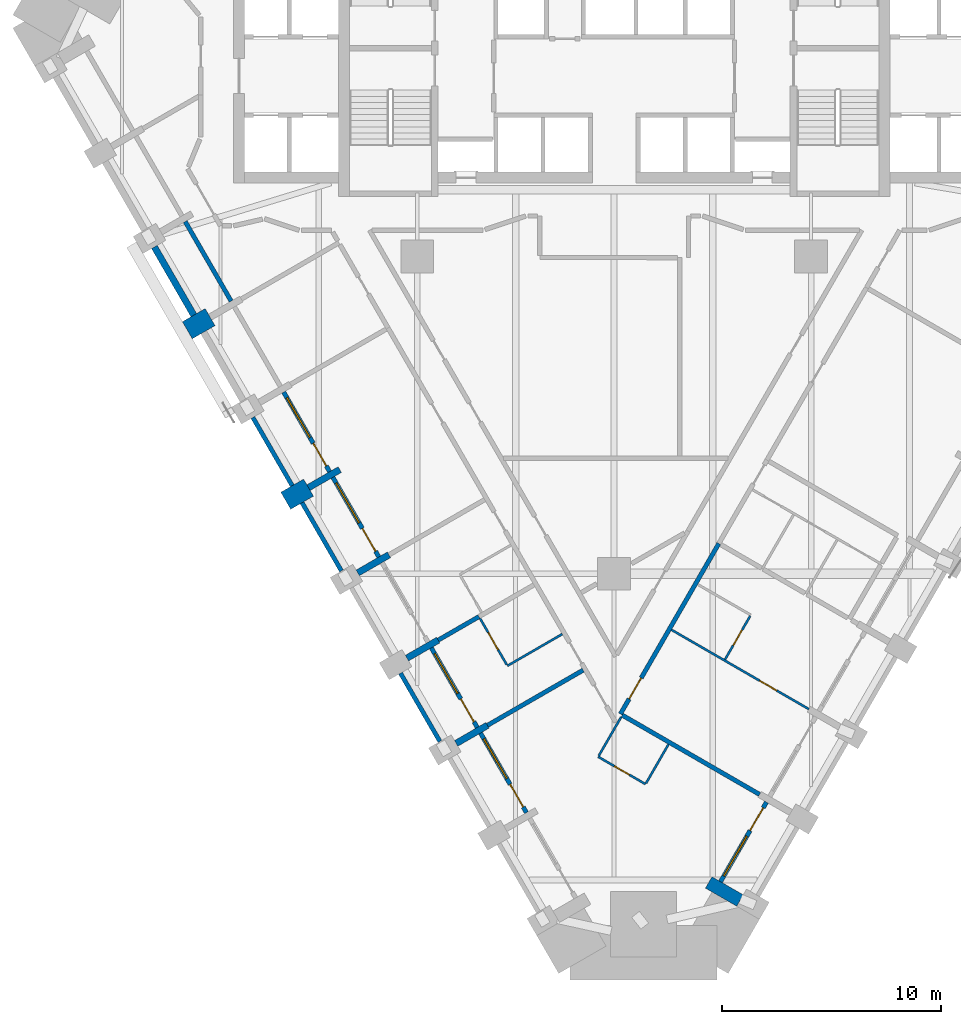
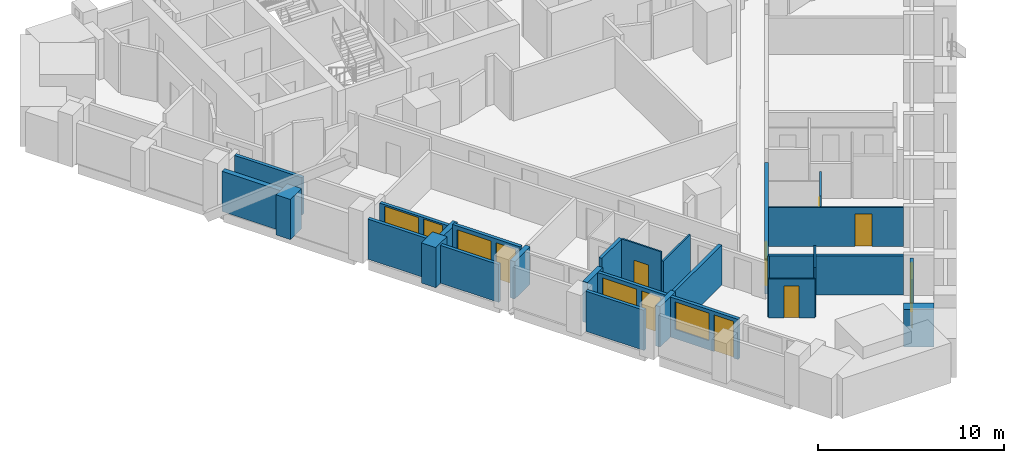
# One storey, part 3 of 11: 28 walls, 10 doors, 5 windows, 15 openings.
"""IFC4 building model written with IfcOpenShell, lengths in metres."""

from ifc_helpers import new_model, si_unit, direction, frame, frame_2d, origin, place, context, subcontext, project, spatial, rectangle, extrude, material, layer, layer_set, type_object, element, fill, save


model = new_model("IFC4")

# Units and contexts
model_context = context("Model", 3, precision=1e-05, world=origin(), true_north=direction((0.0, 1.0)))
body_context = subcontext(model_context, "Body", "Model", "MODEL_VIEW")
ifc_project = project(units=[si_unit("LENGTHUNIT", "METRE"), si_unit("AREAUNIT", "SQUARE_METRE"), si_unit("VOLUMEUNIT", "CUBIC_METRE"), si_unit("PLANEANGLEUNIT", "RADIAN"), si_unit("MASSUNIT", "GRAM", prefix="KILO")], contexts=[model_context])

# Site, building, storey
site_placement = place(None, origin())
site = spatial("IfcSite", under=ifc_project, at=site_placement, CompositionType="ELEMENT")
building_placement = place(site_placement, origin())
building = spatial("IfcBuilding", under=site, at=building_placement, Name="Calabash Gate Tower", CompositionType="ELEMENT")
storey_placement = place(building_placement, frame((0.0, 0.0, 98.60009765625)))
storey = spatial("IfcBuildingStorey", under=building, at=storey_placement, Name="L21", CompositionType="ELEMENT", Elevation=98.60009765625)

# Walls
ifc_material_1 = material(Name="Terracotta brick masonry, exposed face", Category="masonry")
ifc_layer_1 = layer(ifc_material_1, 1.199951171875)
ifc_layer_set_1 = layer_set([ifc_layer_1], Name="Brick end wall 1200")
wall_type_1 = type_object("IfcWallType", Name="Brick end wall 1200", PredefinedType="SOLIDWALL", material=ifc_layer_set_1)
for number, where, z_axis, x_axis, name in (
    (1, (-19.51025390625, -0.8720703125, 0.0), (0.0, 0.0, 1.0), (0.865955154139, 0.50012165622, 0.0), "Brick pier S05 SW0.3"),
    (2, (-13.97119140625, -8.066162109375, 0.0), (0.0, 0.0, 1.0), (-0.865955154139, -0.50012165622, 0.0), "Brick pier S05 SW0.5"),
):
    element("IfcWall", number, at=place(storey_placement, frame(where, z_axis=z_axis, x_axis=x_axis)), inside=storey, type_object=wall_type_1, Name=name, PredefinedType="SOLIDWALL", context=body_context, shape_type="SweptSolid", body=[
        extrude(rectangle(XDim=1.199951171875, YDim=0.89990234375, at=frame_2d((0.60009765625, 0.0))), origin(), (0.0, 0.0, 1.0), 2.6298828125),
    ])
ifc_material_2 = material(Name="Terracotta brick masonry, exposed face", Category="masonry")
ifc_layer_2 = layer(ifc_material_2, 0.300048828125)
ifc_layer_set_2 = layer_set([ifc_layer_2], Name="Brick infill panel wall 300")
wall_type_2 = type_object("IfcWallType", Name="Brick infill panel wall 300", PredefinedType="SOLIDWALL", material=ifc_layer_set_2)
wall_1_placement = place(storey_placement, frame((-21.015625, 2.935302734375, 0.0), z_axis=(0.0, 0.0, 1.0), x_axis=(0.499961193289, -0.866047807691, 0.0)))
element("IfcWall", 3, at=wall_1_placement, inside=storey, type_object=wall_type_2, Name="Brick panel S05 SW0.3", PredefinedType="SOLIDWALL", context=body_context, shape_type="SweptSolid", body=[
    extrude(rectangle(XDim=3.599853515625, YDim=0.300048828125, at=frame_2d((1.7998046875, 0.0))), origin(), (0.0, 0.0, 1.0), 2.6298828125),
])
ifc_material_3 = material(Name="Terracotta brick masonry, exposed face", Category="masonry")
ifc_layer_3 = layer(ifc_material_3, 0.300048828125)
ifc_layer_set_3 = layer_set([ifc_layer_3], Name="Brick loggia cheek wall 300")
wall_type_3 = type_object("IfcWallType", Name="Brick loggia cheek wall 300", PredefinedType="SOLIDWALL", material=ifc_layer_set_3)
wall_2_placement = place(storey_placement, frame((-13.97119140625, -8.066162109375, 0.0), z_axis=(0.0, 0.0, 1.0), x_axis=(0.866040211805, 0.499974350878, 0.0)))
element("IfcWall", 4, at=wall_2_placement, inside=storey, type_object=wall_type_3, Name="Loggia cheek S05 SW0.5", PredefinedType="SOLIDWALL", context=body_context, shape_type="SweptSolid", body=[
    extrude(rectangle(XDim=1.64990234375, YDim=0.300048828125, at=frame_2d((0.824951171875, 0.0))), origin(), (0.0, 0.0, 1.0), 2.473388671875),
])
wall_3_placement = place(storey_placement, frame((-11.72119140625, -11.96337890625, 0.0), z_axis=(0.0, 0.0, 1.0), x_axis=(0.866040211805, 0.499974350878, 0.0)))
element("IfcWall", 5, at=wall_3_placement, inside=storey, type_object=wall_type_3, Name="Loggia cheek S05 SW0.6", PredefinedType="SOLIDWALL", context=body_context, shape_type="SweptSolid", body=[
    extrude(rectangle(XDim=1.64990234375, YDim=0.300048828125, at=frame_2d((0.824951171875, 0.0))), origin(), (0.0, 0.0, 1.0), 2.449951171875),
])
for number, where, z_axis, x_axis, name in (
    (6, (-8.042236328125, -15.035400390625, 0.0), (0.0, 0.0, 1.0), (-0.866040211805, -0.499974350878, 0.0), "Loggia cheek S05 SW0.7"),
    (7, (-7.22119140625, -19.757568359375, 0.0), (0.0, 0.0, 1.0), (0.866040211805, 0.499974350878, 0.0), "Loggia cheek S05 SW0.8"),
):
    element("IfcWall", number, at=place(storey_placement, frame(where, z_axis=z_axis, x_axis=x_axis)), inside=storey, type_object=wall_type_3, Name=name, PredefinedType="SOLIDWALL", context=body_context, shape_type="SweptSolid", body=[
        extrude(rectangle(XDim=1.64990234375, YDim=0.300048828125, at=frame_2d((0.824951171875, 0.0))), origin(), (0.0, 0.0, 1.0), 2.64990234375),
    ])
wall_4_placement = place(storey_placement, frame((5.75244140625, -26.940673828125, 0.0), z_axis=(0.0, 0.0, 1.0), x_axis=(-0.866030301974, 0.499991515992, 0.0)))
element("IfcWall", 8, at=wall_4_placement, inside=storey, type_object=wall_type_3, Name="Loggia cheek S05 SE2.0", PredefinedType="SOLIDWALL", context=body_context, shape_type="SweptSolid", body=[
    extrude(rectangle(XDim=1.6494140625, YDim=0.60009765625, at=frame_2d((0.82470703125, 0.0))), origin(), (0.0, 0.0, 1.0), 2.449951171875),
])
ifc_material_4 = material(Name="Gypsum board on steel studs, mineral wool", Category="steel")
ifc_layer_4 = layer(ifc_material_4, 0.10009765625)
ifc_layer_set_4 = layer_set([ifc_layer_4], Name="Partition 100 gypsum board")
wall_type_4 = type_object("IfcWallType", Name="Partition 100 gypsum board", PredefinedType="PARTITIONING", material=ifc_layer_set_4)
wall_5_placement = place(storey_placement, frame((1.46044921875, -21.576416015625, 0.0), z_axis=(0.0, 0.0, 1.0), x_axis=(0.499354689006, 0.866397653833, 0.0)))
element("IfcWall", 9, at=wall_5_placement, inside=storey, type_object=wall_type_4, Name="Partition", PredefinedType="PARTITIONING", context=body_context, shape_type="SweptSolid", body=[
    extrude(rectangle(XDim=2.050048828125, YDim=0.10009765625, at=frame_2d((1.02490234375, 0.0))), origin(), (0.0, 0.0, 1.0), 3.22998046875),
])

# Wall, opening, door
wall_6_placement = place(storey_placement, frame((-0.7294921875, -20.369873046875, 0.0), z_axis=(0.0, 0.0, 1.0), x_axis=(0.866022959057, -0.500004234368, 0.0)))
wall_6 = element("IfcWall", 10, at=wall_6_placement, inside=storey, type_object=wall_type_4, Name="Partition", PredefinedType="PARTITIONING", context=body_context, shape_type="SweptSolid", body=[
    extrude(rectangle(XDim=2.5, YDim=0.10009765625, at=frame_2d((1.25, 0.0))), origin(), (0.0, 0.0, 1.0), 2.5517578125),
])
opening_1_placement = place(wall_6_placement, frame((0.85009765625, 0.0, 0.0)))
opening_1 = element("IfcOpeningElement", 11, at=opening_1_placement, cuts=wall_6, Name="Opening 19-21-015", PredefinedType="OPENING", context=body_context, shape_type="SweptSolid", body=[
    extrude(rectangle(XDim=0.800048828125, YDim=2.10009765625, at=frame_2d((0.39990234375, 1.050048828125))), frame((0.0, 0.06005859375, 0.0), z_axis=(0.0, -1.0, 0.0), x_axis=(1.0, 0.0, 0.0)), (0.0, 0.0, 1.0), 0.1201171875),
])
ifc_material_5 = material(Name="Painted timber door", Category="wood")
door_type_1 = type_object("IfcDoorType", Name="GD5 En-suite door 800x2100", OperationType="NOTDEFINED", PredefinedType="DOOR", material=ifc_material_5)
door_1_placement = place(opening_1_placement, origin())
door_1 = element("IfcDoor", 12, at=door_1_placement, inside=storey, type_object=door_type_1, Name="En-suite door", OperationType="SINGLE_SWING_LEFT", OverallHeight=2.10009765625, OverallWidth=0.800048828125, PredefinedType="DOOR", context=body_context, shape_type="SweptSolid", body=[
    extrude(rectangle(XDim=0.800048828125, YDim=2.10009765625, at=frame_2d((0.39990234375, 1.050048828125))), frame((0.0, 0.02490234375, 0.0), z_axis=(0.0, -1.0, 0.0), x_axis=(1.0, 0.0, 0.0)), (0.0, 0.0, 1.0), 0.050048828125),
])
fill(opening_1, door_1)

# Walls
wall_7_placement = place(storey_placement, frame((-0.70458984375, -20.326416015625, 0.0), z_axis=(0.0, 0.0, 1.0), x_axis=(0.500698204548, 0.865621919756, 0.0)))
element("IfcWall", 13, at=wall_7_placement, inside=storey, type_object=wall_type_4, Name="Partition", PredefinedType="PARTITIONING", context=body_context, shape_type="SweptSolid", body=[
    extrude(rectangle(XDim=2.0498046875, YDim=0.10009765625, at=frame_2d((1.02490234375, 0.0))), origin(), (0.0, 0.0, 1.0), 2.5517578125),
])
wall_8_placement = place(storey_placement, frame((-4.880126953125, -16.212158203125, 0.0), z_axis=(0.0, 0.0, 1.0), x_axis=(0.865729701078, 0.500511822708, 0.0)))
element("IfcWall", 14, at=wall_8_placement, inside=storey, type_object=wall_type_4, Name="Partition", PredefinedType="PARTITIONING", context=body_context, shape_type="SweptSolid", body=[
    extrude(rectangle(XDim=2.89990234375, YDim=0.10009765625, at=frame_2d((1.449951171875, 0.0))), origin(), (0.0, 0.0, 1.0), 2.6279296875),
])

# Wall, opening, door
wall_9_placement = place(storey_placement, frame((5.069580078125, -15.9208984375, 0.0), z_axis=(0.0, 0.0, 1.0), x_axis=(0.500697021662, 0.865622603967, 0.0)))
wall_9 = element("IfcWall", 15, at=wall_9_placement, inside=storey, type_object=wall_type_4, Name="Partition", PredefinedType="PARTITIONING", context=body_context, shape_type="SweptSolid", body=[
    extrude(rectangle(XDim=2.298095703125, YDim=0.10009765625, at=frame_2d((1.14892578125, 0.0))), origin(), (0.0, 0.0, 1.0), 3.22998046875),
])
opening_2_placement = place(wall_9_placement, frame((0.748046875, 0.0, 0.0)))
opening_2 = element("IfcOpeningElement", 16, at=opening_2_placement, cuts=wall_9, Name="Opening 19-21-009", PredefinedType="OPENING", context=body_context, shape_type="SweptSolid", body=[
    extrude(rectangle(XDim=0.800048828125, YDim=2.10009765625, at=frame_2d((0.39990234375, 1.050048828125))), frame((0.0, 0.06005859375, 0.0), z_axis=(0.0, -1.0, 0.0), x_axis=(1.0, 0.0, 0.0)), (0.0, 0.0, 1.0), 0.1201171875),
])
door_2_placement = place(opening_2_placement, origin())
door_2 = element("IfcDoor", 17, at=door_2_placement, inside=storey, type_object=door_type_1, Name="En-suite door", OperationType="SINGLE_SWING_RIGHT", OverallHeight=2.10009765625, OverallWidth=0.800048828125, PredefinedType="DOOR", context=body_context, shape_type="SweptSolid", body=[
    extrude(rectangle(XDim=0.800048828125, YDim=2.10009765625, at=frame_2d((0.39990234375, 1.050048828125))), frame((0.0, 0.02490234375, 0.0), z_axis=(0.0, -1.0, 0.0), x_axis=(1.0, 0.0, 0.0)), (0.0, 0.0, 1.0), 0.050048828125),
])
fill(opening_2, door_2)

wall_10_placement = place(storey_placement, frame((2.621337890625, -14.565185546875, 0.0), z_axis=(0.0, 0.0, 1.0), x_axis=(0.866035857012, -0.499981894041, 0.0)))
wall_10 = element("IfcWall", 18, at=wall_10_placement, inside=storey, type_object=wall_type_4, Name="Partition", PredefinedType="PARTITIONING", context=body_context, shape_type="SweptSolid", body=[
    extrude(rectangle(XDim=7.249755859375, YDim=0.10009765625, at=frame_2d((3.625, 0.0))), origin(), (0.0, 0.0, 1.0), 2.5517578125),
])
opening_3_placement = place(wall_10_placement, frame((4.64990234375, 0.0, 0.0)))
opening_3 = element("IfcOpeningElement", 19, at=opening_3_placement, cuts=wall_10, Name="Opening 19-21-008", PredefinedType="OPENING", context=body_context, shape_type="SweptSolid", body=[
    extrude(rectangle(XDim=0.89990234375, YDim=2.10009765625, at=frame_2d((0.449951171875, 1.050048828125))), frame((0.0, 0.06005859375, 0.0), z_axis=(0.0, -1.0, 0.0), x_axis=(1.0, 0.0, 0.0)), (0.0, 0.0, 1.0), 0.1201171875),
])
ifc_material_6 = material(Name="Painted timber door", Category="wood")
door_type_2 = type_object("IfcDoorType", Name="GD7 Suite room door 900x2100", OperationType="NOTDEFINED", PredefinedType="DOOR", material=ifc_material_6)
door_3_placement = place(opening_3_placement, origin())
door_3 = element("IfcDoor", 20, at=door_3_placement, inside=storey, type_object=door_type_2, Name="Suite room door", OperationType="SINGLE_SWING_RIGHT", OverallHeight=2.10009765625, OverallWidth=0.89990234375, PredefinedType="DOOR", context=body_context, shape_type="SweptSolid", body=[
    extrude(rectangle(XDim=0.89990234375, YDim=2.10009765625, at=frame_2d((0.449951171875, 1.050048828125))), frame((0.0, 0.02490234375, 0.0), z_axis=(0.0, -1.0, 0.0), x_axis=(1.0, 0.0, 0.0)), (0.0, 0.0, 1.0), 0.050048828125),
])
fill(opening_3, door_3)

wall_11_placement = place(storey_placement, frame((-6.128662109375, -14.04638671875, 0.0), z_axis=(0.0, 0.0, 1.0), x_axis=(0.499408942836, -0.866366381974, 0.0)))
wall_11 = element("IfcWall", 21, at=wall_11_placement, inside=storey, type_object=wall_type_4, Name="Partition", PredefinedType="PARTITIONING", context=body_context, shape_type="SweptSolid", body=[
    extrude(rectangle(XDim=2.44970703125, YDim=0.10009765625, at=frame_2d((1.224853515625, 0.0))), origin(), (0.0, 0.0, 1.0), 3.22998046875),
])
opening_4_placement = place(wall_11_placement, frame((0.749755859375, 0.0, 0.0)))
opening_4 = element("IfcOpeningElement", 22, at=opening_4_placement, cuts=wall_11, Name="Opening 19-21-006", PredefinedType="OPENING", context=body_context, shape_type="SweptSolid", body=[
    extrude(rectangle(XDim=0.89990234375, YDim=2.10009765625, at=frame_2d((0.449951171875, 1.050048828125))), frame((0.0, 0.06005859375, 0.0), z_axis=(0.0, -1.0, 0.0), x_axis=(1.0, 0.0, 0.0)), (0.0, 0.0, 1.0), 0.1201171875),
])
ifc_material_7 = material(Name="Painted timber door", Category="wood")
door_type_3 = type_object("IfcDoorType", Name="GD6 Accessible en-suite door 900x2100", OperationType="NOTDEFINED", PredefinedType="DOOR", material=ifc_material_7)
door_4_placement = place(opening_4_placement, origin())
door_4 = element("IfcDoor", 23, at=door_4_placement, inside=storey, type_object=door_type_3, Name="Accessible en-suite door", OperationType="SINGLE_SWING_RIGHT", OverallHeight=2.10009765625, OverallWidth=0.89990234375, PredefinedType="DOOR", context=body_context, shape_type="SweptSolid", body=[
    extrude(rectangle(XDim=0.89990234375, YDim=2.10009765625, at=frame_2d((0.449951171875, 1.050048828125))), frame((0.0, 0.02490234375, 0.0), z_axis=(0.0, -1.0, 0.0), x_axis=(1.0, 0.0, 0.0)), (0.0, 0.0, 1.0), 0.050048828125),
])
fill(opening_4, door_4)

# Walls
ifc_material_8 = material(Name="Gypsum board on steel studs, mineral wool", Category="steel")
ifc_layer_5 = layer(ifc_material_8, 0.199951171875)
ifc_layer_set_5 = layer_set([ifc_layer_5], Name="Partition 200 gypsum board EI 60")
wall_type_5 = type_object("IfcWallType", Name="Partition 200 gypsum board EI 60", PredefinedType="PARTITIONING", material=ifc_layer_set_5)
wall_12_placement = place(storey_placement, frame((-5.7919921875, -18.93310546875, 0.0), z_axis=(0.0, 0.0, 1.0), x_axis=(0.866155802953, 0.499774073968, 0.0)))
element("IfcWall", 24, at=wall_12_placement, inside=storey, type_object=wall_type_5, Name="Partition", PredefinedType="PARTITIONING", context=body_context, shape_type="SweptSolid", body=[
    extrude(rectangle(XDim=5.049560546875, YDim=0.199951171875, at=frame_2d((2.52490234375, 0.0))), origin(), (0.0, 0.0, 1.0), 2.6279296875),
])
wall_13_placement = place(storey_placement, frame((0.36962890625, -18.4658203125, 0.0), z_axis=(0.0, 0.0, 1.0), x_axis=(0.866027438349, -0.499996476014, 0.0)))
element("IfcWall", 25, at=wall_13_placement, inside=storey, type_object=wall_type_5, Name="Partition", PredefinedType="PARTITIONING", context=body_context, shape_type="SweptSolid", body=[
    extrude(rectangle(XDim=7.24951171875, YDim=0.199951171875, at=frame_2d((3.624755859375, 0.0))), origin(), (0.0, 0.0, 1.0), 2.5517578125),
])
wall_14_placement = place(storey_placement, frame((-8.0419921875, -15.03564453125, 0.0), z_axis=(0.0, 0.0, 1.0), x_axis=(0.866448284977, 0.499266831925, 0.0)))
element("IfcWall", 26, at=wall_14_placement, inside=storey, type_object=wall_type_5, Name="Partition", PredefinedType="PARTITIONING", context=body_context, shape_type="SweptSolid", body=[
    extrude(rectangle(XDim=2.149658203125, YDim=0.199951171875, at=frame_2d((1.07470703125, 0.0))), origin(), (0.0, 0.0, 1.0), 3.22998046875),
])

# Wall, opening, door
wall_15_placement = place(storey_placement, frame((0.285400390625, -18.414794921875, 0.0), z_axis=(0.0, 0.0, 1.0), x_axis=(0.5000018851, 0.866024315419, 0.0)))
wall_15 = element("IfcWall", 27, at=wall_15_placement, inside=storey, type_object=wall_type_5, Name="Partition", PredefinedType="PARTITIONING", context=body_context, shape_type="SweptSolid", body=[
    extrude(rectangle(XDim=9.0, YDim=0.199951171875, at=frame_2d((4.5, 0.0))), origin(), (0.0, 0.0, 1.0), 2.30224609375),
])
opening_5_placement = place(wall_15_placement, frame((0.800048828125, 0.0, 0.0)))
opening_5 = element("IfcOpeningElement", 28, at=opening_5_placement, cuts=wall_15, Name="Opening 19-21-007", PredefinedType="OPENING", context=body_context, shape_type="SweptSolid", body=[
    extrude(rectangle(XDim=1.10009765625, YDim=2.10009765625, at=frame_2d((0.550048828125, 1.050048828125))), frame((0.0, 0.10986328125, 0.0), z_axis=(0.0, -1.0, 0.0), x_axis=(1.0, 0.0, 0.0)), (0.0, 0.0, 1.0), 0.219970703125),
])
ifc_material_9 = material(Name="Steel fire door set with fire-resisting glazing", Category="steel")
door_type_4 = type_object("IfcDoorType", Name="GD3 Suite entrance door 1100x2100", OperationType="NOTDEFINED", PredefinedType="DOOR", material=ifc_material_9)
door_5_placement = place(opening_5_placement, origin())
door_5 = element("IfcDoor", 29, at=door_5_placement, inside=storey, type_object=door_type_4, Name="Suite entrance door", OperationType="SINGLE_SWING_RIGHT", OverallHeight=2.10009765625, OverallWidth=1.10009765625, PredefinedType="DOOR", context=body_context, shape_type="SweptSolid", body=[
    extrude(rectangle(XDim=1.10009765625, YDim=2.10009765625, at=frame_2d((0.550048828125, 1.050048828125))), frame((0.0, 0.02490234375, 0.0), z_axis=(0.0, -1.0, 0.0), x_axis=(1.0, 0.0, 0.0)), (0.0, 0.0, 1.0), 0.050048828125),
])
fill(opening_5, door_5)

# Walls
ifc_material_10 = material(Name="Terracotta brick masonry, perforated", Category="masonry")
ifc_layer_6 = layer(ifc_material_10, 0.199951171875)
ifc_layer_set_6 = layer_set([ifc_layer_6], Name="Terracotta jaali screen A")
wall_type_6 = type_object("IfcWallType", Name="Terracotta jaali screen A", PredefinedType="SOLIDWALL", material=ifc_layer_set_6)
wall_16_placement = place(storey_placement, frame((-16.515625, -4.85888671875, 0.0), z_axis=(0.0, 0.0, 1.0), x_axis=(0.499961193289, -0.866047807691, 0.0)))
element("IfcWall", 30, at=wall_16_placement, inside=storey, type_object=wall_type_6, Name="SCREEN A S05 SW0.5", PredefinedType="SOLIDWALL", context=body_context, shape_type="SweptSolid", body=[
    extrude(rectangle(XDim=3.599853515625, YDim=0.199951171875, at=frame_2d((1.7998046875, 0.0))), origin(), (0.0, 0.0, 1.0), 2.6298828125),
])
wall_17_placement = place(storey_placement, frame((-14.265625, -8.755859375, 0.0), z_axis=(0.0, 0.0, 1.0), x_axis=(0.499961193289, -0.866047807691, 0.0)))
element("IfcWall", 31, at=wall_17_placement, inside=storey, type_object=wall_type_6, Name="SCREEN A S05 SW0.6", PredefinedType="SOLIDWALL", context=body_context, shape_type="SweptSolid", body=[
    extrude(rectangle(XDim=3.599853515625, YDim=0.199951171875, at=frame_2d((1.7998046875, 0.0))), origin(), (0.0, 0.0, 1.0), 2.473388671875),
])
wall_18_placement = place(storey_placement, frame((-9.765625, -16.550048828125, 0.0), z_axis=(0.0, 0.0, 1.0), x_axis=(0.499931829785, -0.866064758299, 0.0)))
element("IfcWall", 32, at=wall_18_placement, inside=storey, type_object=wall_type_6, Name="SCREEN A S05 SW0.8", PredefinedType="SOLIDWALL", context=body_context, shape_type="SweptSolid", body=[
    extrude(rectangle(XDim=3.60009765625, YDim=0.199951171875, at=frame_2d((1.800048828125, 0.0))), origin(), (0.0, 0.0, 1.0), 2.6298828125),
])
ifc_material_11 = material(Name="Aluminium framed window wall with insulated spandrel", Category="aluminium")
ifc_layer_7 = layer(ifc_material_11, 0.199951171875)
ifc_layer_set_7 = layer_set([ifc_layer_7], Name="Window wall 200")
wall_type_7 = type_object("IfcWallType", Name="Window wall 200", PredefinedType="ELEMENTEDWALL", material=ifc_layer_set_7)
wall_19_placement = place(storey_placement, frame((-19.60693359375, 4.09521484375, 0.0), z_axis=(0.0, 0.0, 1.0), x_axis=(0.500027713859, -0.866009402589, 0.0)))
element("IfcWall", 33, at=wall_19_placement, inside=storey, type_object=wall_type_7, Name="Window wall S05 SW0.3", PredefinedType="ELEMENTEDWALL", context=body_context, shape_type="SweptSolid", body=[
    extrude(rectangle(XDim=4.199951171875, YDim=0.199951171875, at=frame_2d((2.10009765625, 0.0))), origin(), (0.0, 0.0, 1.0), 2.449951171875),
])

# Wall, openings, door, window
wall_20_placement = place(storey_placement, frame((-15.10693359375, -3.698974609375, 0.0), z_axis=(0.0, 0.0, 1.0), x_axis=(0.500002543286, -0.866023935413, 0.0)))
wall_20 = element("IfcWall", 34, at=wall_20_placement, inside=storey, type_object=wall_type_7, Name="Window wall S05 SW0.5", PredefinedType="ELEMENTEDWALL", context=body_context, shape_type="SweptSolid", body=[
    extrude(rectangle(XDim=4.2001953125, YDim=0.199951171875, at=frame_2d((2.10009765625, 0.0))), origin(), (0.0, 0.0, 1.0), 2.473388671875),
])
opening_6_placement = place(wall_20_placement, frame((0.300048828125, 0.0, 0.60009765625)))
opening_6 = element("IfcOpeningElement", 35, at=opening_6_placement, cuts=wall_20, Name="Opening HW1L-1770", PredefinedType="OPENING", context=body_context, shape_type="SweptSolid", body=[
    extrude(rectangle(XDim=2.10009765625, YDim=1.77001953125, at=frame_2d((1.050048828125, 0.885009765625))), frame((0.0, 0.10986328125, 0.0), z_axis=(0.0, -1.0, 0.0), x_axis=(1.0, 0.0, 0.0)), (0.0, 0.0, 1.0), 0.219970703125),
])
opening_7_placement = place(wall_20_placement, frame((2.699951171875, 0.0, 0.0)))
opening_7 = element("IfcOpeningElement", 36, at=opening_7_placement, cuts=wall_20, Name="Opening H5-023", PredefinedType="OPENING", context=body_context, shape_type="SweptSolid", body=[
    extrude(rectangle(XDim=1.199951171875, YDim=2.3701171875, at=frame_2d((0.60009765625, 1.18505859375))), frame((0.0, 0.10986328125, 0.0), z_axis=(0.0, -1.0, 0.0), x_axis=(1.0, 0.0, 0.0)), (0.0, 0.0, 1.0), 0.219970703125),
])
ifc_material_12 = material(Name="Anodised aluminium frame, bronze finish, impact-rated laminated clear glazing", Category="aluminium")
door_type_5 = type_object("IfcDoorType", Name="Loggia door DH1L-2370 1200x2370", OperationType="SLIDING_TO_LEFT", PredefinedType="DOOR", material=ifc_material_12)
door_6_placement = place(opening_7_placement, origin())
door_6 = element("IfcDoor", 37, at=door_6_placement, inside=storey, type_object=door_type_5, Name="Loggia door S05 SW0.5", OperationType="SINGLE_SWING_LEFT", OverallHeight=2.3701171875, OverallWidth=1.199951171875, PredefinedType="DOOR", context=body_context, shape_type="SweptSolid", body=[
    extrude(rectangle(XDim=1.199951171875, YDim=2.3701171875, at=frame_2d((0.60009765625, 1.18505859375))), frame((0.0, 0.02490234375, 0.0), z_axis=(0.0, -1.0, 0.0), x_axis=(1.0, 0.0, 0.0)), (0.0, 0.0, 1.0), 0.050048828125),
])
fill(opening_7, door_6)
ifc_material_13 = material(Name="Anodised aluminium frame, bronze finish, impact-rated laminated clear glazing", Category="aluminium")
window_type_1 = type_object("IfcWindowType", Name="Window HW1L 2100x1770", PartitioningType="DOUBLE_PANEL_VERTICAL", PredefinedType="WINDOW", material=ifc_material_13)
window_1_placement = place(opening_6_placement, origin())
window_1 = element("IfcWindow", 38, at=window_1_placement, inside=storey, type_object=window_type_1, Name="Window HW1 S05 SW0.5", OverallHeight=1.77001953125, OverallWidth=2.10009765625, PartitioningType="SINGLE_PANEL", PredefinedType="WINDOW", context=body_context, shape_type="SweptSolid", body=[
    extrude(rectangle(XDim=2.10009765625, YDim=1.77001953125, at=frame_2d((1.050048828125, 0.885009765625))), frame((0.0, 0.030029296875, 0.0), z_axis=(0.0, -1.0, 0.0), x_axis=(1.0, 0.0, 0.0)), (0.0, 0.0, 1.0), 0.06005859375),
])
fill(opening_6, window_1)

wall_21_placement = place(storey_placement, frame((-12.85693359375, -7.59619140625, 0.0), z_axis=(0.0, 0.0, 1.0), x_axis=(0.500027713859, -0.866009402589, 0.0)))
wall_21 = element("IfcWall", 39, at=wall_21_placement, inside=storey, type_object=wall_type_7, Name="Window wall S05 SW0.6", PredefinedType="ELEMENTEDWALL", context=body_context, shape_type="SweptSolid", body=[
    extrude(rectangle(XDim=4.199951171875, YDim=0.199951171875, at=frame_2d((2.10009765625, 0.0))), origin(), (0.0, 0.0, 1.0), 2.64990234375),
])
opening_8_placement = place(wall_21_placement, frame((0.300048828125, 0.0, 0.60009765625)))
opening_8 = element("IfcOpeningElement", 40, at=opening_8_placement, cuts=wall_21, Name="Opening HW1", PredefinedType="OPENING", context=body_context, shape_type="SweptSolid", body=[
    extrude(rectangle(XDim=2.10009765625, YDim=1.800048828125, at=frame_2d((1.050048828125, 0.89990234375))), frame((0.0, 0.10986328125, 0.0), z_axis=(0.0, -1.0, 0.0), x_axis=(1.0, 0.0, 0.0)), (0.0, 0.0, 1.0), 0.219970703125),
])
opening_9_placement = place(wall_21_placement, frame((2.699951171875, 0.0, 0.0)))
opening_9 = element("IfcOpeningElement", 41, at=opening_9_placement, cuts=wall_21, Name="Opening H5-024", PredefinedType="OPENING", context=body_context, shape_type="SweptSolid", body=[
    extrude(rectangle(XDim=1.199951171875, YDim=2.39990234375, at=frame_2d((0.60009765625, 1.199951171875))), frame((0.0, 0.10986328125, 0.0), z_axis=(0.0, -1.0, 0.0), x_axis=(1.0, 0.0, 0.0)), (0.0, 0.0, 1.0), 0.219970703125),
])
ifc_material_14 = material(Name="Anodised aluminium frame, bronze finish, impact-rated laminated clear glazing", Category="aluminium")
door_type_6 = type_object("IfcDoorType", Name="Loggia door DH1 1200x2400", OperationType="SLIDING_TO_LEFT", PredefinedType="DOOR", material=ifc_material_14)
door_7_placement = place(opening_9_placement, origin())
door_7 = element("IfcDoor", 42, at=door_7_placement, inside=storey, type_object=door_type_6, Name="Loggia door S05 SW0.6", OperationType="SINGLE_SWING_LEFT", OverallHeight=2.39990234375, OverallWidth=1.199951171875, PredefinedType="DOOR", context=body_context, shape_type="SweptSolid", body=[
    extrude(rectangle(XDim=1.199951171875, YDim=2.39990234375, at=frame_2d((0.60009765625, 1.199951171875))), frame((0.0, 0.02490234375, 0.0), z_axis=(0.0, -1.0, 0.0), x_axis=(1.0, 0.0, 0.0)), (0.0, 0.0, 1.0), 0.050048828125),
])
fill(opening_9, door_7)
ifc_material_15 = material(Name="Anodised aluminium frame, bronze finish, impact-rated laminated clear glazing", Category="aluminium")
window_type_2 = type_object("IfcWindowType", Name="Window HW1 2100x1800", PartitioningType="DOUBLE_PANEL_VERTICAL", PredefinedType="WINDOW", material=ifc_material_15)
window_2_placement = place(opening_8_placement, origin())
window_2 = element("IfcWindow", 43, at=window_2_placement, inside=storey, type_object=window_type_2, Name="Window HW1 S05 SW0.6", OverallHeight=1.800048828125, OverallWidth=2.10009765625, PartitioningType="SINGLE_PANEL", PredefinedType="WINDOW", context=body_context, shape_type="SweptSolid", body=[
    extrude(rectangle(XDim=2.10009765625, YDim=1.800048828125, at=frame_2d((1.050048828125, 0.89990234375))), frame((0.0, 0.030029296875, 0.0), z_axis=(0.0, -1.0, 0.0), x_axis=(1.0, 0.0, 0.0)), (0.0, 0.0, 1.0), 0.06005859375),
])
fill(opening_8, window_2)

wall_22_placement = place(storey_placement, frame((-8.35693359375, -15.390380859375, 0.0), z_axis=(0.0, 0.0, 1.0), x_axis=(0.500027713859, -0.866009402589, 0.0)))
wall_22 = element("IfcWall", 44, at=wall_22_placement, inside=storey, type_object=wall_type_7, Name="Window wall S05 SW0.8", PredefinedType="ELEMENTEDWALL", context=body_context, shape_type="SweptSolid", body=[
    extrude(rectangle(XDim=4.199951171875, YDim=0.199951171875, at=frame_2d((2.10009765625, 0.0))), origin(), (0.0, 0.0, 1.0), 2.64990234375),
])
opening_10_placement = place(wall_22_placement, frame((0.300048828125, 0.0, 0.60009765625)))
opening_10 = element("IfcOpeningElement", 45, at=opening_10_placement, cuts=wall_22, Name="Opening HW1", PredefinedType="OPENING", context=body_context, shape_type="SweptSolid", body=[
    extrude(rectangle(XDim=2.10009765625, YDim=1.800048828125, at=frame_2d((1.050048828125, 0.89990234375))), frame((0.0, 0.10986328125, 0.0), z_axis=(0.0, -1.0, 0.0), x_axis=(1.0, 0.0, 0.0)), (0.0, 0.0, 1.0), 0.219970703125),
])
opening_11_placement = place(wall_22_placement, frame((2.699951171875, 0.0, 0.0)))
opening_11 = element("IfcOpeningElement", 46, at=opening_11_placement, cuts=wall_22, Name="Opening H5-026", PredefinedType="OPENING", context=body_context, shape_type="SweptSolid", body=[
    extrude(rectangle(XDim=1.199951171875, YDim=2.39990234375, at=frame_2d((0.60009765625, 1.199951171875))), frame((0.0, 0.10986328125, 0.0), z_axis=(0.0, -1.0, 0.0), x_axis=(1.0, 0.0, 0.0)), (0.0, 0.0, 1.0), 0.219970703125),
])
door_8_placement = place(opening_11_placement, origin())
door_8 = element("IfcDoor", 47, at=door_8_placement, inside=storey, type_object=door_type_6, Name="Loggia door S05 SW0.8", OperationType="SINGLE_SWING_LEFT", OverallHeight=2.39990234375, OverallWidth=1.199951171875, PredefinedType="DOOR", context=body_context, shape_type="SweptSolid", body=[
    extrude(rectangle(XDim=1.199951171875, YDim=2.39990234375, at=frame_2d((0.60009765625, 1.199951171875))), frame((0.0, 0.02490234375, 0.0), z_axis=(0.0, -1.0, 0.0), x_axis=(1.0, 0.0, 0.0)), (0.0, 0.0, 1.0), 0.050048828125),
])
fill(opening_11, door_8)
window_3_placement = place(opening_10_placement, origin())
window_3 = element("IfcWindow", 48, at=window_3_placement, inside=storey, type_object=window_type_2, Name="Window HW1 S05 SW0.8", OverallHeight=1.800048828125, OverallWidth=2.10009765625, PartitioningType="SINGLE_PANEL", PredefinedType="WINDOW", context=body_context, shape_type="SweptSolid", body=[
    extrude(rectangle(XDim=2.10009765625, YDim=1.800048828125, at=frame_2d((1.050048828125, 0.89990234375))), frame((0.0, 0.030029296875, 0.0), z_axis=(0.0, -1.0, 0.0), x_axis=(1.0, 0.0, 0.0)), (0.0, 0.0, 1.0), 0.06005859375),
])
fill(opening_10, window_3)

wall_23_placement = place(storey_placement, frame((-6.10693359375, -19.287353515625, 0.0), z_axis=(0.0, 0.0, 1.0), x_axis=(0.500002543286, -0.866023935413, 0.0)))
wall_23 = element("IfcWall", 49, at=wall_23_placement, inside=storey, type_object=wall_type_7, Name="Window wall S05 SW0.9", PredefinedType="ELEMENTEDWALL", context=body_context, shape_type="SweptSolid", body=[
    extrude(rectangle(XDim=4.2001953125, YDim=0.199951171875, at=frame_2d((2.10009765625, 0.0))), origin(), (0.0, 0.0, 1.0), 2.6279296875),
])
opening_12_placement = place(wall_23_placement, frame((0.300048828125, 0.0, 0.60009765625)))
opening_12 = element("IfcOpeningElement", 50, at=opening_12_placement, cuts=wall_23, Name="Opening HW1", PredefinedType="OPENING", context=body_context, shape_type="SweptSolid", body=[
    extrude(rectangle(XDim=2.10009765625, YDim=1.800048828125, at=frame_2d((1.050048828125, 0.89990234375))), frame((0.0, 0.10986328125, 0.0), z_axis=(0.0, -1.0, 0.0), x_axis=(1.0, 0.0, 0.0)), (0.0, 0.0, 1.0), 0.219970703125),
])
opening_13_placement = place(wall_23_placement, frame((2.699951171875, 0.0, 0.0)))
opening_13 = element("IfcOpeningElement", 51, at=opening_13_placement, cuts=wall_23, Name="Opening H5-027", PredefinedType="OPENING", context=body_context, shape_type="SweptSolid", body=[
    extrude(rectangle(XDim=1.199951171875, YDim=2.39990234375, at=frame_2d((0.60009765625, 1.199951171875))), frame((0.0, 0.10986328125, 0.0), z_axis=(0.0, -1.0, 0.0), x_axis=(1.0, 0.0, 0.0)), (0.0, 0.0, 1.0), 0.219970703125),
])
door_9_placement = place(opening_13_placement, origin())
door_9 = element("IfcDoor", 52, at=door_9_placement, inside=storey, type_object=door_type_6, Name="Loggia door S05 SW0.9", OperationType="SINGLE_SWING_LEFT", OverallHeight=2.39990234375, OverallWidth=1.199951171875, PredefinedType="DOOR", context=body_context, shape_type="SweptSolid", body=[
    extrude(rectangle(XDim=1.199951171875, YDim=2.39990234375, at=frame_2d((0.60009765625, 1.199951171875))), frame((0.0, 0.02490234375, 0.0), z_axis=(0.0, -1.0, 0.0), x_axis=(1.0, 0.0, 0.0)), (0.0, 0.0, 1.0), 0.050048828125),
])
fill(opening_13, door_9)
window_4_placement = place(opening_12_placement, origin())
window_4 = element("IfcWindow", 53, at=window_4_placement, inside=storey, type_object=window_type_2, Name="Window HW1 S05 SW0.9", OverallHeight=1.800048828125, OverallWidth=2.10009765625, PartitioningType="SINGLE_PANEL", PredefinedType="WINDOW", context=body_context, shape_type="SweptSolid", body=[
    extrude(rectangle(XDim=2.10009765625, YDim=1.800048828125, at=frame_2d((1.050048828125, 0.89990234375))), frame((0.0, 0.030029296875, 0.0), z_axis=(0.0, -1.0, 0.0), x_axis=(1.0, 0.0, 0.0)), (0.0, 0.0, 1.0), 0.06005859375),
])
fill(opening_12, window_4)

wall_24_placement = place(storey_placement, frame((4.863525390625, -26.0810546875, 0.0), z_axis=(0.0, 0.0, 1.0), x_axis=(0.500027713859, 0.866009402589, 0.0)))
wall_24 = element("IfcWall", 54, at=wall_24_placement, inside=storey, type_object=wall_type_7, Name="Window wall S05 SE2.1", PredefinedType="ELEMENTEDWALL", context=body_context, shape_type="SweptSolid", body=[
    extrude(rectangle(XDim=4.199951171875, YDim=0.199951171875, at=frame_2d((2.10009765625, 0.0))), origin(), (0.0, 0.0, 1.0), 2.449951171875),
])
opening_14_placement = place(wall_24_placement, frame((0.300048828125, 0.0, 0.60009765625)))
opening_14 = element("IfcOpeningElement", 55, at=opening_14_placement, cuts=wall_24, Name="Opening HW1L-1750", PredefinedType="OPENING", context=body_context, shape_type="SweptSolid", body=[
    extrude(rectangle(XDim=2.10009765625, YDim=1.75, at=frame_2d((1.050048828125, 0.875))), frame((0.0, 0.10986328125, 0.0), z_axis=(0.0, -1.0, 0.0), x_axis=(1.0, 0.0, 0.0)), (0.0, 0.0, 1.0), 0.219970703125),
])
opening_15_placement = place(wall_24_placement, frame((2.699951171875, 0.0, 0.0)))
opening_15 = element("IfcOpeningElement", 56, at=opening_15_placement, cuts=wall_24, Name="Opening H5-019", PredefinedType="OPENING", context=body_context, shape_type="SweptSolid", body=[
    extrude(rectangle(XDim=1.199951171875, YDim=2.35009765625, at=frame_2d((0.60009765625, 1.175048828125))), frame((0.0, 0.10986328125, 0.0), z_axis=(0.0, -1.0, 0.0), x_axis=(1.0, 0.0, 0.0)), (0.0, 0.0, 1.0), 0.219970703125),
])
ifc_material_16 = material(Name="Anodised aluminium frame, bronze finish, impact-rated laminated clear glazing", Category="aluminium")
door_type_7 = type_object("IfcDoorType", Name="Loggia door DH1L-2350 1200x2350", OperationType="SLIDING_TO_LEFT", PredefinedType="DOOR", material=ifc_material_16)
door_10_placement = place(opening_15_placement, origin())
door_10 = element("IfcDoor", 57, at=door_10_placement, inside=storey, type_object=door_type_7, Name="Loggia door S05 SE2.1", OperationType="SINGLE_SWING_LEFT", OverallHeight=2.35009765625, OverallWidth=1.199951171875, PredefinedType="DOOR", context=body_context, shape_type="SweptSolid", body=[
    extrude(rectangle(XDim=1.199951171875, YDim=2.35009765625, at=frame_2d((0.60009765625, 1.175048828125))), frame((0.0, 0.02490234375, 0.0), z_axis=(0.0, -1.0, 0.0), x_axis=(1.0, 0.0, 0.0)), (0.0, 0.0, 1.0), 0.050048828125),
])
fill(opening_15, door_10)
ifc_material_17 = material(Name="Anodised aluminium frame, bronze finish, impact-rated laminated clear glazing", Category="aluminium")
window_type_3 = type_object("IfcWindowType", Name="Window HW1L 2100x1750", PartitioningType="DOUBLE_PANEL_VERTICAL", PredefinedType="WINDOW", material=ifc_material_17)
window_5_placement = place(opening_14_placement, origin())
window_5 = element("IfcWindow", 58, at=window_5_placement, inside=storey, type_object=window_type_3, Name="Window HW1 S05 SE2.1", OverallHeight=1.75, OverallWidth=2.10009765625, PartitioningType="SINGLE_PANEL", PredefinedType="WINDOW", context=body_context, shape_type="SweptSolid", body=[
    extrude(rectangle(XDim=2.10009765625, YDim=1.75, at=frame_2d((1.050048828125, 0.875))), frame((0.0, 0.030029296875, 0.0), z_axis=(0.0, -1.0, 0.0), x_axis=(1.0, 0.0, 0.0)), (0.0, 0.0, 1.0), 0.06005859375),
])
fill(opening_14, window_5)

save(model, "model.ifc")
